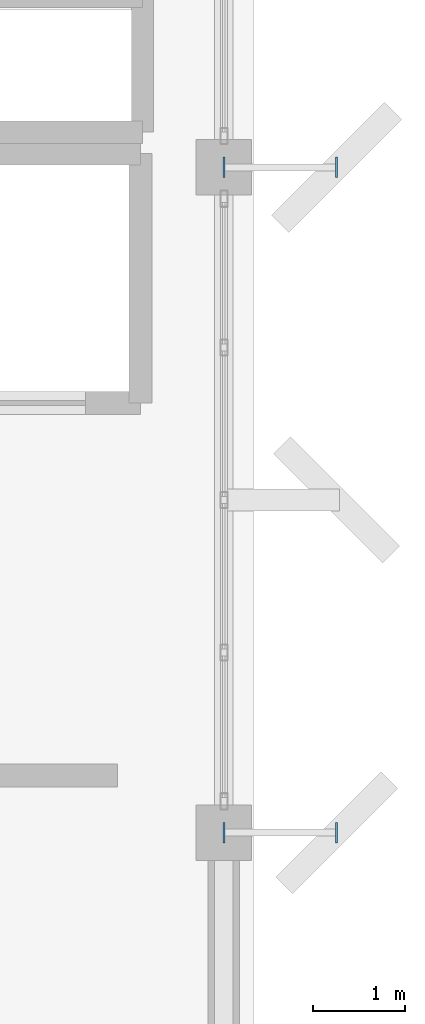
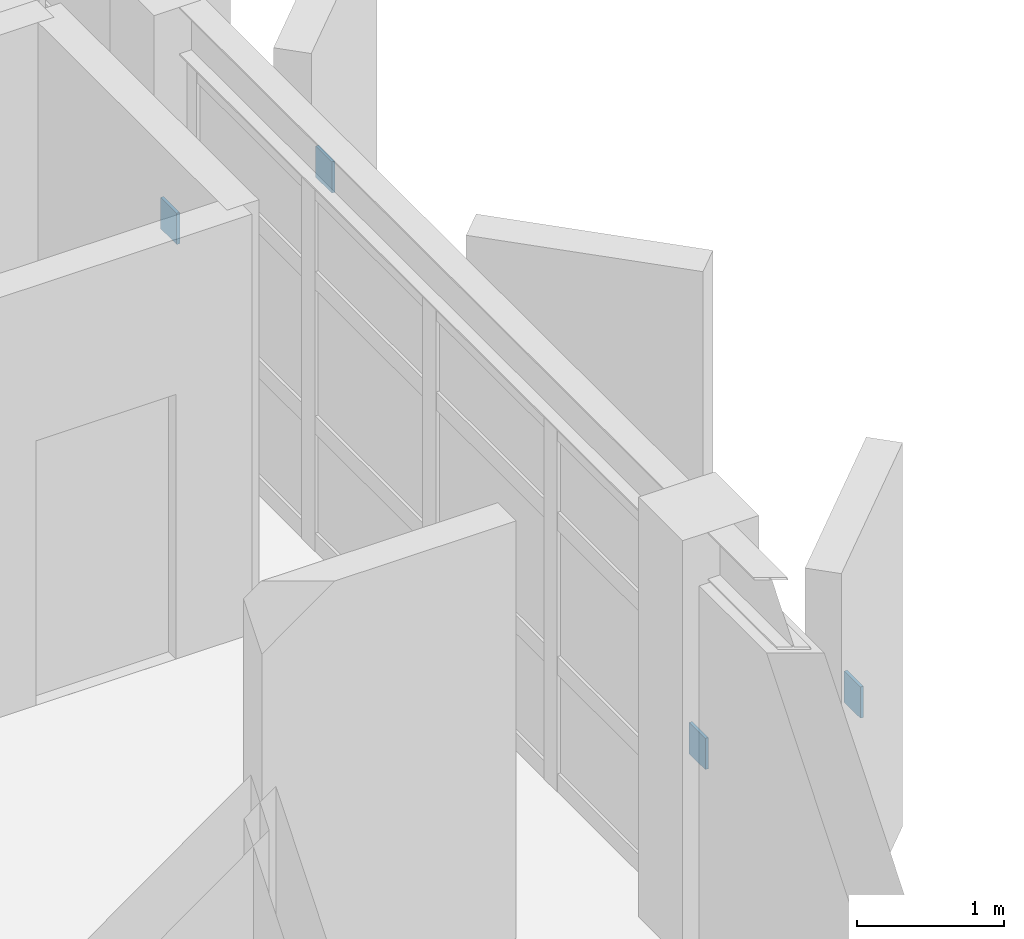
# One storey, part 12 of 13: 4 discrete accessories.
"""IFC4 building model written with IfcOpenShell, lengths in metres."""

import ifcopenshell
import ifcopenshell.guid

model = None  # the IFC model being written
_history = None  # IfcOwnerHistory: only IFC2X3 demands one
_inside = {}  # id of a spatial element -> (the spatial element, [elements in it])
_under = {}  # id of a project, library or spatial element -> (it, [spatial elements below it])
_declared = {}  # id of a project -> (the project, [libraries it declares])
_typed = {}  # id of a type object -> (the type object, [elements of that type])
_made_of = {}  # id of a material, layer set ... -> (it, [elements and type objects made of it])


def new_model(schema):
    """Start an empty IFC model of exactly this schema.

    Asked for "IFC4X3", IfcOpenShell would pick the latest addendum, in which some entities
    have other attributes; the version numbers below select the first issue.
    IFC2X3 requires an IfcOwnerHistory on every rooted entity: one is made here for all.
    """
    global model, _history
    if schema == "IFC4X3":
        model = ifcopenshell.file(schema_version=(4, 3, 0, 0))
    else:
        model = ifcopenshell.file(schema=schema)
    _inside.clear()
    _under.clear()
    _declared.clear()
    _typed.clear()
    _made_of.clear()
    _history = None
    if model.schema == "IFC2X3":
        org = make("IfcOrganization", Name="unknown")
        user = make(
            "IfcPersonAndOrganization",
            ThePerson=make("IfcPerson", FamilyName="unknown"),
            TheOrganization=org,
        )
        app = make(
            "IfcApplication",
            ApplicationDeveloper=org,
            Version="unknown",
            ApplicationFullName="unknown",
            ApplicationIdentifier="unknown",
        )
        _history = make(
            "IfcOwnerHistory",
            OwningUser=user,
            OwningApplication=app,
            ChangeAction="ADDED",
            CreationDate=0,
        )
    return model


def make(cls, **values):
    """One entity of the class cls with the attributes given. An attribute that is None is left unset."""
    return model.create_entity(
        cls, **{name: value for name, value in values.items() if value is not None}
    )


def rooted(cls, **values):
    """An entity with a GlobalId (a new one), such as an element, a storey or a relation."""
    return make(cls, GlobalId=ifcopenshell.guid.new(), OwnerHistory=_history, **values)


def si_unit(unit_type, name, prefix=None):
    """IfcSIUnit, for example si_unit("LENGTHUNIT", "METRE", prefix="MILLI")."""
    return make("IfcSIUnit", UnitType=unit_type, Prefix=prefix, Name=name)


def assignment(units):
    """IfcUnitAssignment: the units of a project."""
    return None if units is None else make("IfcUnitAssignment", Units=units)


def point(xyz):
    """IfcCartesianPoint."""
    return None if xyz is None else make("IfcCartesianPoint", Coordinates=xyz)


def direction(xyz):
    """IfcDirection."""
    return None if xyz is None else make("IfcDirection", DirectionRatios=xyz)


def frame(location, z_axis=None, x_axis=None):
    """IfcAxis2Placement3D, a coordinate frame: its origin and axes. An axis left out is left unset."""
    return make(
        "IfcAxis2Placement3D",
        Location=point(location),
        Axis=direction(z_axis),
        RefDirection=direction(x_axis),
    )


def frame_2d(location, x_axis=None):
    """IfcAxis2Placement2D, a coordinate frame in the plane: its origin and x axis."""
    return make(
        "IfcAxis2Placement2D", Location=point(location), RefDirection=direction(x_axis)
    )


def origin():
    """The frame at (0, 0, 0) with its axes left unset."""
    return frame((0.0, 0.0, 0.0))


def origin_2d():
    """The frame at (0, 0) in the plane with its x axis left unset."""
    return frame_2d((0.0, 0.0))


def place(relative_to, where):
    """IfcLocalPlacement: puts the frame where relative to a parent placement (None: the world)."""
    return make(
        "IfcLocalPlacement", PlacementRelTo=relative_to, RelativePlacement=where
    )


def context(
    kind, dimensions, precision=None, world=None, true_north=None, identifier=None
):
    """IfcGeometricRepresentationContext, for example the 3D "Model" context."""
    return make(
        "IfcGeometricRepresentationContext",
        ContextIdentifier=identifier,
        ContextType=kind,
        CoordinateSpaceDimension=dimensions,
        Precision=precision,
        WorldCoordinateSystem=world,
        TrueNorth=true_north,
    )


def subcontext(parent, identifier, kind, view, scale=None):
    """IfcGeometricRepresentationSubContext, for example "Body" below "Model"."""
    return make(
        "IfcGeometricRepresentationSubContext",
        ContextIdentifier=identifier,
        ContextType=kind,
        ParentContext=parent,
        TargetScale=scale,
        TargetView=view,
    )


def project(units=None, contexts=None):
    """IfcProject with its units and contexts."""
    return rooted(
        "IfcProject",
        Name="project",
        RepresentationContexts=contexts,
        UnitsInContext=assignment(units),
    )


def spatial(cls, under=None, at=None, **own):
    """A site, building, storey or space (cls), placed at a placement, below another one or the project."""
    s = rooted(cls, ObjectPlacement=at, **own)
    if under is not None:
        _under.setdefault(under.id(), (under, []))[1].append(s)
    return s


def profile(cls, at=None, kind="AREA", **sizes):
    """A parametric profile (cls). Its sizes go by their IFC names, for example OverallWidth=200.0."""
    return make(cls, ProfileType=kind, Position=at, **sizes)


def rectangle(**sizes):
    """IfcRectangleProfileDef."""
    return profile("IfcRectangleProfileDef", **sizes)


def extrude(swept, where, along, depth):
    """IfcExtrudedAreaSolid: the profile swept, set in the frame where, extruded along a direction by depth."""
    return make(
        "IfcExtrudedAreaSolid",
        SweptArea=swept,
        Position=where,
        ExtrudedDirection=direction(along),
        Depth=depth,
    )


def shape(context_of_items, identifier, shape_type, items):
    """IfcShapeRepresentation: the items that make up one representation, for example the "Body"."""
    return make(
        "IfcShapeRepresentation",
        ContextOfItems=context_of_items,
        RepresentationIdentifier=identifier,
        RepresentationType=shape_type,
        Items=items,
    )


def material(Name=None, Category=None):
    """IfcMaterial."""
    return make("IfcMaterial", Name=Name, Category=Category)


def made_of(thing, what):
    """Note that an element or type object is made of a material, layer set ...; save() writes the relation."""
    if what is not None:
        _made_of.setdefault(what.id(), (what, []))[1].append(thing)
    return thing


def type_object(cls, material=None, **own):
    """A type object (cls), such as IfcWallType, which elements share."""
    return made_of(rooted(cls, **own), material)


def element(
    cls,
    number,
    at=None,
    inside=None,
    cuts=None,
    type_object=None,
    material=None,
    context=None,
    identifier="Body",
    shape_type=None,
    held_by="IfcProductDefinitionShape",
    body=None,
    shapes=None,
    **own,
):
    """One element of the class cls, such as IfcWall. Its Tag is "e" and its number.

    at: its placement. inside: the storey or other place that contains it. cuts: it is an
    opening in that element (IfcRelVoidsElement). A single representation is given by context,
    identifier, shape_type and body (its items); several are given by shapes. held_by: the class
    of the entity that holds the representations. save() writes the other relations.
    """
    e = rooted(cls, Tag="e%d" % number, ObjectPlacement=at, **own)
    if body is not None:
        shapes = [shape(context, identifier, shape_type, body)]
    if shapes is not None:
        e.Representation = make(held_by, Representations=shapes)
    if inside is not None:
        _inside.setdefault(inside.id(), (inside, []))[1].append(e)
    if cuts is not None:
        rooted(
            "IfcRelVoidsElement", RelatingBuildingElement=cuts, RelatedOpeningElement=e
        )
    if type_object is not None:
        _typed.setdefault(type_object.id(), (type_object, []))[1].append(e)
    return made_of(e, material)


def aggregate(whole, parts):
    """IfcRelAggregates: a whole, such as a stair, and the parts it consists of."""
    return rooted("IfcRelAggregates", RelatingObject=whole, RelatedObjects=parts)


def save(model, path):
    """Write the relations noted so far, then the file.

    IfcRelAggregates (storeys below a building ...), IfcRelContainedInSpatialStructure (elements
    in a storey), IfcRelDefinesByType, IfcRelAssociatesMaterial and IfcRelDeclares: one each for
    every whole, place, type object, material and project.
    """
    for whole, parts in _under.values():
        aggregate(whole, parts)
    for where, things in _inside.values():
        rooted(
            "IfcRelContainedInSpatialStructure",
            RelatedElements=things,
            RelatingStructure=where,
        )
    for kind, things in _typed.values():
        rooted("IfcRelDefinesByType", RelatedObjects=things, RelatingType=kind)
    for what, things in _made_of.values():
        rooted("IfcRelAssociatesMaterial", RelatedObjects=things, RelatingMaterial=what)
    for by, libraries in _declared.values():
        rooted("IfcRelDeclares", RelatingContext=by, RelatedDefinitions=libraries)
    model.write(path)


model = new_model("IFC4")

# Units and contexts
model_context = context("Model", 3, precision=1e-05, world=origin(), true_north=direction((0.0, 1.0)))
body_context = subcontext(model_context, "Body", "Model", "MODEL_VIEW")
ifc_project = project(units=[si_unit("LENGTHUNIT", "METRE"), si_unit("AREAUNIT", "SQUARE_METRE"), si_unit("VOLUMEUNIT", "CUBIC_METRE"), si_unit("PLANEANGLEUNIT", "RADIAN"), si_unit("MASSUNIT", "GRAM", prefix="KILO")], contexts=[model_context])

# Site, building, storey
site_placement = place(None, origin())
site = spatial("IfcSite", under=ifc_project, at=site_placement, CompositionType="ELEMENT")
building_placement = place(site_placement, origin())
building = spatial("IfcBuilding", under=site, at=building_placement, Name="Kandorven Conservatory and Botanical Research Centre", CompositionType="ELEMENT")
storey_placement = place(building_placement, frame((0.0, 0.0, 63.14990234375)))
storey = spatial("IfcBuildingStorey", under=building, at=storey_placement, Name="L16", CompositionType="ELEMENT", Elevation=63.14990234375)

# Discrete accessories
ifc_material = material(Name="Steel S355 (IS 2062 E350)", Category="steel")
discrete_accessory_type = type_object("IfcDiscreteAccessoryType", Name="SteelGussetPlate", PredefinedType="BRACKET", material=ifc_material)
for number, where, z_axis, x_axis, name in (
    (1, (27.60009765625, 13.199951171875, 1.3701171875), (0.0, 0.0, 1.0), (1.0, 0.0, 0.0), "Welded steel strut end-plate GUS-01 #153A"),
    (2, (28.820068359375, 13.199951171875, 1.3701171875), (0.0, 0.0, 1.0), (1.0, 0.0, 0.0), "Welded steel strut end-plate GUS-01 #153B"),
    (3, (27.60009765625, 20.39990234375, 1.3701171875), (0.0, 0.0, 1.0), (1.0, 0.0, 0.0), "Welded steel strut end-plate GUS-01 #155A"),
    (4, (28.820068359375, 20.39990234375, 1.3701171875), (0.0, 0.0, 1.0), (1.0, 0.0, 0.0), "Welded steel strut end-plate GUS-01 #155B"),
):
    element("IfcDiscreteAccessory", number, at=place(storey_placement, frame(where, z_axis=z_axis, x_axis=x_axis)), inside=storey, type_object=discrete_accessory_type, Name=name, PredefinedType="BRACKET", context=body_context, shape_type="SweptSolid", body=[
        extrude(rectangle(XDim=0.02392578125, YDim=0.219970703125, at=origin_2d()), origin(), (0.0, 0.0, 1.0), 0.260009765625),
    ])

save(model, "model.ifc")
